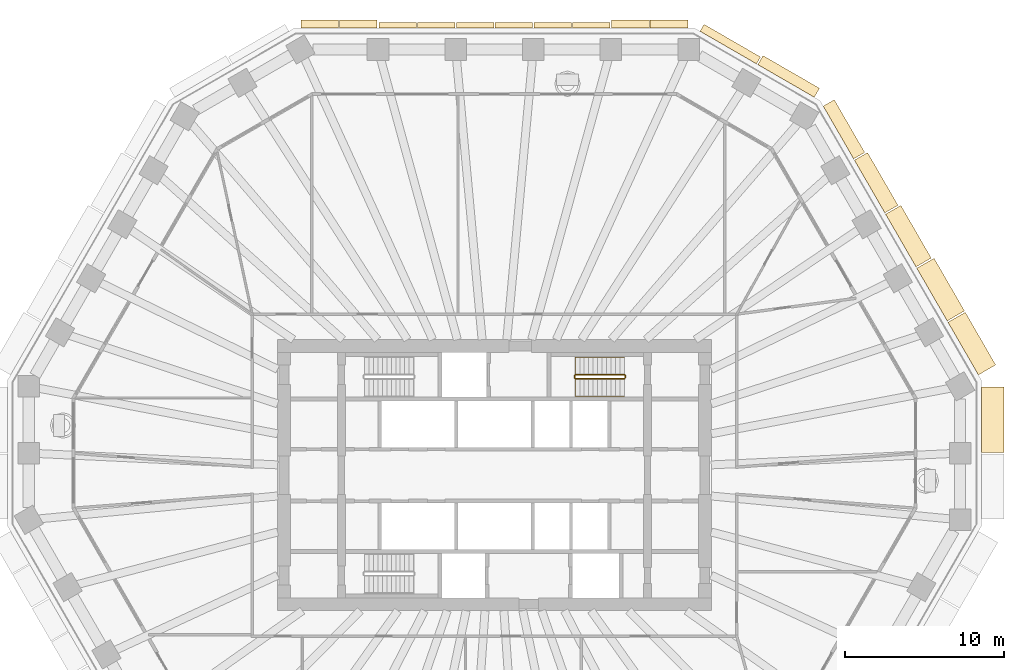
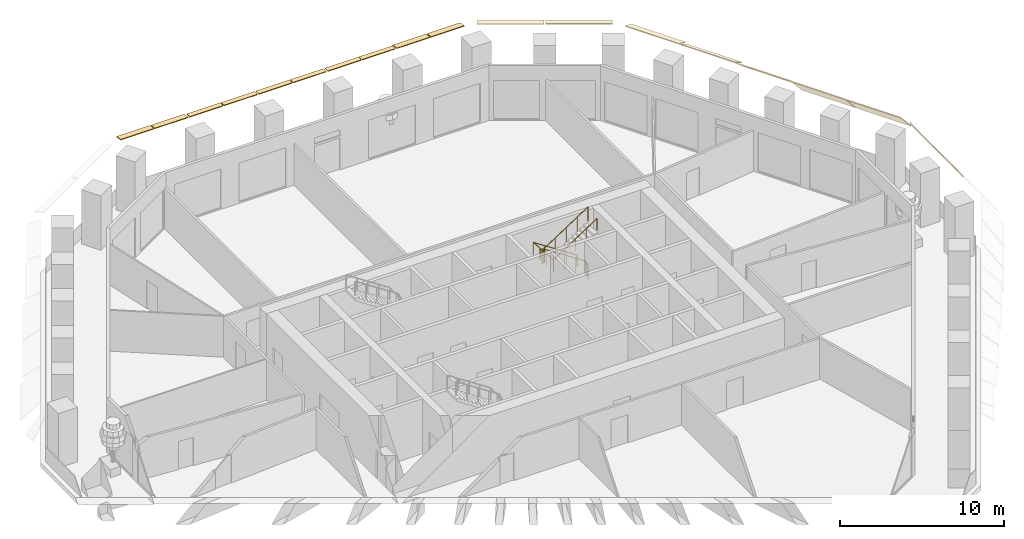
# One storey, part 10 of 12: 18 coverings, 2 railings.
"""IFC4 building model written with IfcOpenShell, lengths in metres."""

from ifc_helpers import new_model, si_unit, direction, frame, origin, origin_2d, place, context, subcontext, project, spatial, polyline, circle, outline, extrude, material, layer, layer_set, type_object, element, save


model = new_model("IFC4")

# Units and contexts
model_context = context("Model", 3, precision=1e-05, world=origin(), true_north=direction((0.0, 1.0)))
body_context = subcontext(model_context, "Body", "Model", "MODEL_VIEW")
ifc_project = project(units=[si_unit("LENGTHUNIT", "METRE"), si_unit("AREAUNIT", "SQUARE_METRE"), si_unit("VOLUMEUNIT", "CUBIC_METRE"), si_unit("PLANEANGLEUNIT", "RADIAN"), si_unit("MASSUNIT", "GRAM", prefix="KILO")], contexts=[model_context])

# Site, building, storey
site_placement = place(None, origin())
site = spatial("IfcSite", under=ifc_project, at=site_placement, CompositionType="ELEMENT")
building_placement = place(site_placement, origin())
building = spatial("IfcBuilding", under=site, at=building_placement, Name="Frailejon Research Tower", CompositionType="ELEMENT")
storey_placement = place(building_placement, frame((0.0, 0.0, 126.39990234375)))
storey = spatial("IfcBuildingStorey", under=building, at=storey_placement, Name="L27", CompositionType="ELEMENT", Elevation=126.39990234375)

# Coverings
ifc_material_1 = material(Name="Precast concrete C50/60", Category="concrete")
ifc_layer_1 = layer(ifc_material_1, 0.06005859375)
ifc_layer_set_1 = layer_set([ifc_layer_1], Name="Brim blade depth 1100")
covering_type_1 = type_object("IfcCoveringType", Name="Brim blade depth 1100", PredefinedType="CLADDING", material=ifc_layer_set_1)
covering_1_placement = place(storey_placement, frame((24.536376953125, 16.3671875, 4.25), z_axis=(0.500001217064, -0.866024701111, 0.0), x_axis=(0.866024701111, 0.500001217064, 0.0)))
element("IfcCovering", 1, at=covering_1_placement, inside=storey, type_object=covering_type_1, Name="Brim blade L27", PredefinedType="CLADDING", context=body_context, shape_type="SweptSolid", body=[
    extrude(outline(polyline([(0.0, -0.078369140625), (1.10009765625, -1.001220703125), (1.10009765625, -0.923095703125), (0.0, 0.0), (0.0, -0.078369140625)])), origin(), (0.0, 0.0, 1.0), 3.8125),
])
ifc_material_2 = material(Name="Precast concrete C50/60", Category="concrete")
ifc_layer_2 = layer(ifc_material_2, 0.06005859375)
ifc_layer_set_2 = layer_set([ifc_layer_2], Name="Brim blade depth 1250")
covering_type_2 = type_object("IfcCoveringType", Name="Brim blade depth 1250", PredefinedType="CLADDING", material=ifc_layer_set_2)
covering_2_placement = place(storey_placement, frame((28.448974609375, 9.59033203125, 4.25), z_axis=(0.500001217064, -0.866024701111, 0.0), x_axis=(0.866024701111, 0.500001217064, 0.0)))
element("IfcCovering", 2, at=covering_2_placement, inside=storey, type_object=covering_type_2, Name="Brim blade L27", PredefinedType="CLADDING", context=body_context, shape_type="SweptSolid", body=[
    extrude(outline(polyline([(0.0, -0.0888671875), (1.25, -1.452880859375), (1.25, -1.364013671875), (0.0, 0.0), (0.0, -0.0888671875)])), origin(), (0.0, 0.0, 1.0), 3.8125),
])
covering_3_placement = place(storey_placement, frame((26.49267578125, 12.97900390625, 4.25), z_axis=(0.499990149831, -0.866031090707, 0.0), x_axis=(0.866031090707, 0.499990149831, 0.0)))
element("IfcCovering", 3, at=covering_3_placement, inside=storey, type_object=covering_type_2, Name="Brim blade L27", PredefinedType="CLADDING", context=body_context, shape_type="SweptSolid", body=[
    extrude(outline(polyline([(0.0, -0.0888671875), (1.25, -1.452880859375), (1.25, -1.364013671875), (0.0, 0.0), (0.0, -0.0888671875)])), origin(), (0.0, 0.0, 1.0), 3.812744140625),
])
ifc_material_3 = material(Name="Precast concrete C50/60", Category="concrete")
ifc_layer_3 = layer(ifc_material_3, 0.06005859375)
ifc_layer_set_3 = layer_set([ifc_layer_3], Name="Brim blade depth 1400")
covering_type_3 = type_object("IfcCoveringType", Name="Brim blade depth 1400", PredefinedType="CLADDING", material=ifc_layer_set_3)
covering_4_placement = place(storey_placement, frame((30.56103515625, 5.520263671875, 4.25), z_axis=(0.0, -1.0, 0.0), x_axis=(1.0, 0.0, 0.0)))
element("IfcCovering", 4, at=covering_4_placement, inside=storey, type_object=covering_type_3, Name="Brim blade L27", PredefinedType="CLADDING", context=body_context, shape_type="SweptSolid", body=[
    extrude(outline(polyline([(0.0, -0.1044921875), (1.39990234375, -2.10400390625), (1.39990234375, -1.99951171875), (0.0, 0.0), (0.0, -0.1044921875)])), origin(), (0.0, 0.0, 1.0), 4.08740234375),
])
ifc_material_4 = material(Name="Precast concrete C50/60", Category="concrete")
ifc_layer_4 = layer(ifc_material_4, 0.06005859375)
ifc_layer_set_4 = layer_set([ifc_layer_4], Name="Brim blade depth 350")
covering_type_4 = type_object("IfcCoveringType", Name="Brim blade depth 350", PredefinedType="CLADDING", material=ifc_layer_set_4)
for number, where, z_axis, x_axis, name in (
    (5, (4.900634765625, 28.050048828125, 4.25), (1.0, 0.0, 0.0), (0.0, 1.0, 0.0), "Brim blade L27"),
    (6, (2.4853515625, 28.050048828125, 4.25), (1.0, 0.0, 0.0), (0.0, 1.0, 0.0), "Brim blade L27"),
    (7, (0.030029296875, 28.050048828125, 4.25), (1.0, 0.0, 0.0), (0.0, 1.0, 0.0), "Brim blade L27"),
    (8, (-2.38525390625, 28.050048828125, 4.25), (1.0, 0.0, 0.0), (0.0, 1.0, 0.0), "Brim blade L27"),
    (9, (-4.840576171875, 28.050048828125, 4.25), (1.0, 0.0, 0.0), (0.0, 1.0, 0.0), "Brim blade L27"),
    (10, (-7.255859375, 28.050048828125, 4.25), (1.0, 0.0, 0.0), (0.0, 1.0, 0.0), "Brim blade L27"),
):
    element("IfcCovering", number, at=place(storey_placement, frame(where, z_axis=z_axis, x_axis=x_axis)), inside=storey, type_object=covering_type_4, Name=name, PredefinedType="CLADDING", context=body_context, shape_type="SweptSolid", body=[
        extrude(outline(polyline([(0.0, -0.06005859375), (0.35009765625, -0.06005859375), (0.35009765625, 0.0), (0.0, 0.0), (0.0, -0.06005859375)])), origin(), (0.0, 0.0, 1.0), 2.355224609375),
    ])
ifc_material_5 = material(Name="Precast concrete C50/60", Category="concrete")
ifc_layer_5 = layer(ifc_material_5, 0.06005859375)
ifc_layer_set_5 = layer_set([ifc_layer_5], Name="Brim blade depth 500")
covering_type_5 = type_object("IfcCoveringType", Name="Brim blade depth 500", PredefinedType="CLADDING", material=ifc_layer_set_5)
covering_5_placement = place(storey_placement, frame((12.894775390625, 27.843994140625, 4.25), z_axis=(0.866027315287, -0.499996689166, 0.0), x_axis=(0.499996689166, 0.866027315287, 0.0)))
element("IfcCovering", 11, at=covering_5_placement, inside=storey, type_object=covering_type_5, Name="Brim blade L27", PredefinedType="CLADDING", context=body_context, shape_type="SweptSolid", body=[
    extrude(outline(polyline([(0.0, -0.060546875), (0.5, -0.130859375), (0.5, -0.0703125), (0.0, 0.0), (0.0, -0.060546875)])), origin(), (0.0, 0.0, 1.0), 4.087646484375),
])
for number, where, z_axis, x_axis, name in (
    (12, (9.771240234375, 28.050048828125, 4.25), (1.0, 0.0, 0.0), (0.0, 1.0, 0.0), "Brim blade L27"),
    (13, (7.35595703125, 28.050048828125, 4.25), (1.0, 0.0, 0.0), (0.0, 1.0, 0.0), "Brim blade L27"),
    (14, (-9.711181640625, 28.050048828125, 4.25), (1.0, 0.0, 0.0), (0.0, 1.0, 0.0), "Brim blade L27"),
    (15, (-12.12646484375, 28.050048828125, 4.25), (1.0, 0.0, 0.0), (0.0, 1.0, 0.0), "Brim blade L27"),
):
    element("IfcCovering", number, at=place(storey_placement, frame(where, z_axis=z_axis, x_axis=x_axis)), inside=storey, type_object=covering_type_5, Name=name, PredefinedType="CLADDING", context=body_context, shape_type="SweptSolid", body=[
        extrude(outline(polyline([(0.0, -0.060546875), (0.5, -0.130859375), (0.5, -0.0703125), (0.0, 0.0), (0.0, -0.060546875)])), origin(), (0.0, 0.0, 1.0), 2.355224609375),
    ])
ifc_material_6 = material(Name="Precast concrete C50/60", Category="concrete")
ifc_layer_6 = layer(ifc_material_6, 0.06005859375)
ifc_layer_set_6 = layer_set([ifc_layer_6], Name="Brim blade depth 650")
covering_type_6 = type_object("IfcCoveringType", Name="Brim blade depth 650", PredefinedType="CLADDING", material=ifc_layer_set_6)
covering_6_placement = place(storey_placement, frame((16.521484375, 25.750244140625, 4.25), z_axis=(0.866021344981, -0.500007029989, 0.0), x_axis=(0.500007029989, 0.866021344981, 0.0)))
element("IfcCovering", 16, at=covering_6_placement, inside=storey, type_object=covering_type_6, Name="Brim blade L27", PredefinedType="CLADDING", context=body_context, shape_type="SweptSolid", body=[
    extrude(outline(polyline([(0.0, -0.0625), (0.64990234375, -0.248779296875), (0.64990234375, -0.186279296875), (0.0, 0.0), (0.0, -0.0625)])), origin(), (0.0, 0.0, 1.0), 4.08740234375),
])
ifc_material_7 = material(Name="Precast concrete C50/60", Category="concrete")
ifc_layer_7 = layer(ifc_material_7, 0.06005859375)
ifc_layer_set_7 = layer_set([ifc_layer_7], Name="Brim blade depth 800")
covering_type_7 = type_object("IfcCoveringType", Name="Brim blade depth 800", PredefinedType="CLADDING", material=ifc_layer_set_7)
covering_7_placement = place(storey_placement, frame((20.623779296875, 23.14404296875, 4.25), z_axis=(0.500001217064, -0.866024701111, 0.0), x_axis=(0.866024701111, 0.500001217064, 0.0)))
element("IfcCovering", 17, at=covering_7_placement, inside=storey, type_object=covering_type_7, Name="Brim blade L27", PredefinedType="CLADDING", context=body_context, shape_type="SweptSolid", body=[
    extrude(outline(polyline([(0.0, -0.065673828125), (0.800048828125, -0.421875), (0.800048828125, -0.356201171875), (0.0, 0.0), (0.0, -0.065673828125)])), origin(), (0.0, 0.0, 1.0), 3.8125),
])
ifc_material_8 = material(Name="Precast concrete C50/60", Category="concrete")
ifc_layer_8 = layer(ifc_material_8, 0.06005859375)
ifc_layer_set_8 = layer_set([ifc_layer_8], Name="Brim blade depth 950")
covering_type_8 = type_object("IfcCoveringType", Name="Brim blade depth 950", PredefinedType="CLADDING", material=ifc_layer_set_8)
covering_8_placement = place(storey_placement, frame((22.580078125, 19.755615234375, 4.25), z_axis=(0.500001217064, -0.866024701111, 0.0), x_axis=(0.866024701111, 0.500001217064, 0.0)))
element("IfcCovering", 18, at=covering_8_placement, inside=storey, type_object=covering_type_8, Name="Brim blade L27", PredefinedType="CLADDING", context=body_context, shape_type="SweptSolid", body=[
    extrude(outline(polyline([(0.0, -0.07080078125), (0.949951171875, -0.664306640625), (0.949951171875, -0.593505859375), (0.0, 0.0), (0.0, -0.07080078125)])), origin(), (0.0, 0.0, 1.0), 3.8125),
])

# Railings
ifc_material_9 = material(Name="Stainless steel", Category="steel")
railing_type_1 = type_object("IfcRailingType", Name="Stair guard 1100", PredefinedType="GUARDRAIL", material=ifc_material_9)
railing_1_placement = place(storey_placement, frame((8.199951171875, 6.10009765625, 0.0)))
element("IfcRailing", 19, at=railing_1_placement, inside=storey, type_object=railing_type_1, Name="L27 ST3 stair guard 1", PredefinedType="GUARDRAIL", context=body_context, shape_type="SweptSolid", body=[
    extrude(circle(Radius=0.02392578125, at=origin_2d()), frame((0.0, 0.0, 1.076171875), z_axis=(0.0, 1.0, 0.0), x_axis=(-1.0, 0.0, 0.0)), (0.0, 0.0, 1.0), 0.14990234375),
    extrude(circle(Radius=0.02392578125, at=origin_2d()), frame((0.0, 0.14990234375, 1.076171875), z_axis=(-0.254653276557, 0.254653276557, 0.932900539971), x_axis=(-0.707106781187, -0.707106781187, 0.0)), (0.0, 0.0, 1.0), 0.196533203125),
    extrude(circle(Radius=0.02392578125, at=origin_2d()), frame((-0.050048828125, 0.199951171875, 1.25927734375), z_axis=(-0.836582707638, 0.0, 0.547840645882), x_axis=(0.0, -1.0, 0.0)), (0.0, 0.0, 1.0), 3.681396484375),
    extrude(circle(Radius=0.02392578125, at=origin_2d()), frame((-3.1298828125, 0.199951171875, 3.2763671875), z_axis=(-0.707106781187, -0.707106781187, 0.0), x_axis=(0.707106781187, -0.707106781187, 0.0)), (0.0, 0.0, 1.0), 0.07080078125),
    extrude(circle(Radius=0.02392578125, at=origin_2d()), frame((-3.179931640625, 0.14990234375, 3.2763671875), z_axis=(0.0, -1.0, 0.0), x_axis=(1.0, 0.0, 0.0)), (0.0, 0.0, 1.0), 0.14990234375),
    extrude(circle(Radius=0.02392578125, at=origin_2d()), frame((-3.179931640625, 0.0, 3.2763671875), z_axis=(0.254653276557, -0.254653276557, 0.932900539971), x_axis=(0.707106781187, 0.707106781187, 0.0)), (0.0, 0.0, 1.0), 0.196533203125),
    extrude(circle(Radius=0.02392578125, at=origin_2d()), frame((-3.1298828125, -0.050048828125, 3.45947265625), z_axis=(0.836613101238, 0.0, 0.547794230379), x_axis=(0.0, 1.0, 0.0)), (0.0, 0.0, 1.0), 3.681396484375),
    extrude(circle(Radius=0.02099609375, at=origin_2d()), origin(), (0.0, 0.0, 1.0), 1.052001953125),
    extrude(circle(Radius=0.02099609375, at=origin_2d()), frame((0.0, 0.14990234375, 0.0)), (0.0, 0.0, 1.0), 1.052001953125),
    extrude(circle(Radius=0.02099609375, at=origin_2d()), frame((-0.050048828125, 0.199951171875, 0.183349609375)), (0.0, 0.0, 1.0), 1.052001953125),
    extrude(circle(Radius=0.02099609375, at=origin_2d()), frame((-0.820068359375, 0.199951171875, 0.6875)), (0.0, 0.0, 1.0), 1.052001953125),
    extrude(circle(Radius=0.02099609375, at=origin_2d()), frame((-1.58984375, 0.199951171875, 1.19189453125)), (0.0, 0.0, 1.0), 1.052001953125),
    extrude(circle(Radius=0.02099609375, at=origin_2d()), frame((-2.35986328125, 0.199951171875, 1.696044921875)), (0.0, 0.0, 1.0), 1.052001953125),
    extrude(circle(Radius=0.02099609375, at=origin_2d()), frame((-3.1298828125, 0.199951171875, 2.2001953125)), (0.0, 0.0, 1.0), 1.052001953125),
    extrude(circle(Radius=0.02099609375, at=origin_2d()), frame((-3.179931640625, 0.14990234375, 2.2001953125)), (0.0, 0.0, 1.0), 1.052001953125),
    extrude(circle(Radius=0.02099609375, at=origin_2d()), frame((-3.179931640625, 0.0, 2.2001953125)), (0.0, 0.0, 1.0), 1.052001953125),
    extrude(circle(Radius=0.02099609375, at=origin_2d()), frame((-3.1298828125, -0.050048828125, 2.383544921875)), (0.0, 0.0, 1.0), 1.052001953125),
    extrude(circle(Radius=0.02099609375, at=origin_2d()), frame((-2.35986328125, -0.050048828125, 2.8876953125)), (0.0, 0.0, 1.0), 1.052001953125),
    extrude(circle(Radius=0.02099609375, at=origin_2d()), frame((-1.58984375, -0.050048828125, 3.391845703125)), (0.0, 0.0, 1.0), 1.052001953125),
    extrude(circle(Radius=0.02099609375, at=origin_2d()), frame((-0.820068359375, -0.050048828125, 3.89599609375)), (0.0, 0.0, 1.0), 1.052001953125),
    extrude(circle(Radius=0.02099609375, at=origin_2d()), frame((-0.050048828125, -0.050048828125, 4.400146484375)), (0.0, 0.0, 1.0), 1.052001953125),
])
ifc_material_10 = material(Name="Stainless steel", Category="steel")
railing_type_2 = type_object("IfcRailingType", Name="Stair handrail 900", PredefinedType="HANDRAIL", material=ifc_material_10)
railing_2_placement = place(storey_placement, frame((8.14990234375, 7.39990234375, 0.183349609375)))
element("IfcRailing", 20, at=railing_2_placement, inside=storey, type_object=railing_type_2, Name="L27 ST3 stair handrail 1", PredefinedType="HANDRAIL", context=body_context, shape_type="SweptSolid", body=[
    extrude(circle(Radius=0.02392578125, at=origin_2d()), frame((0.0, 0.0, 0.8759765625), z_axis=(-0.836582707638, 0.0, 0.547840645882), x_axis=(0.0, -1.0, 0.0)), (0.0, 0.0, 1.0), 3.681396484375),
    extrude(circle(Radius=0.02392578125, at=origin_2d()), frame((-3.079833984375, 0.0, 2.892578125), z_axis=(0.0, -0.99721134034, 0.074629368868), x_axis=(1.0, 0.0, 0.0)), (0.0, 0.0, 1.0), 2.456787109375),
    extrude(circle(Radius=0.02392578125, at=origin_2d()), frame((-3.079833984375, -2.449951171875, 3.076171875), z_axis=(0.836613101238, 0.0, 0.547794230379), x_axis=(0.0, 1.0, 0.0)), (0.0, 0.0, 1.0), 3.681396484375),
    extrude(circle(Radius=0.02099609375, at=origin_2d()), origin(), (0.0, 0.0, 1.0), 0.851806640625),
    extrude(circle(Radius=0.02099609375, at=origin_2d()), frame((-0.77001953125, 0.0, 0.504150390625)), (0.0, 0.0, 1.0), 0.851806640625),
    extrude(circle(Radius=0.02099609375, at=origin_2d()), frame((-1.5400390625, 0.0, 1.00830078125)), (0.0, 0.0, 1.0), 0.851806640625),
    extrude(circle(Radius=0.02099609375, at=origin_2d()), frame((-2.309814453125, 0.0, 1.5126953125)), (0.0, 0.0, 1.0), 0.851806640625),
    extrude(circle(Radius=0.02099609375, at=origin_2d()), frame((-3.079833984375, 0.0, 2.016845703125)), (0.0, 0.0, 1.0), 0.851806640625),
    extrude(circle(Radius=0.02099609375, at=origin_2d()), frame((-3.079833984375, -0.816650390625, 2.077880859375)), (0.0, 0.0, 1.0), 0.851806640625),
    extrude(circle(Radius=0.02099609375, at=origin_2d()), frame((-3.079833984375, -1.63330078125, 2.13916015625)), (0.0, 0.0, 1.0), 0.851806640625),
    extrude(circle(Radius=0.02099609375, at=origin_2d()), frame((-3.079833984375, -2.449951171875, 2.2001953125)), (0.0, 0.0, 1.0), 0.851806640625),
    extrude(circle(Radius=0.02099609375, at=origin_2d()), frame((-2.309814453125, -2.449951171875, 2.704345703125)), (0.0, 0.0, 1.0), 0.851806640625),
    extrude(circle(Radius=0.02099609375, at=origin_2d()), frame((-1.5400390625, -2.449951171875, 3.20849609375)), (0.0, 0.0, 1.0), 0.851806640625),
    extrude(circle(Radius=0.02099609375, at=origin_2d()), frame((-0.77001953125, -2.449951171875, 3.712646484375)), (0.0, 0.0, 1.0), 0.851806640625),
    extrude(circle(Radius=0.02099609375, at=origin_2d()), frame((0.0, -2.449951171875, 4.216796875)), (0.0, 0.0, 1.0), 0.851806640625),
])

save(model, "model.ifc")
